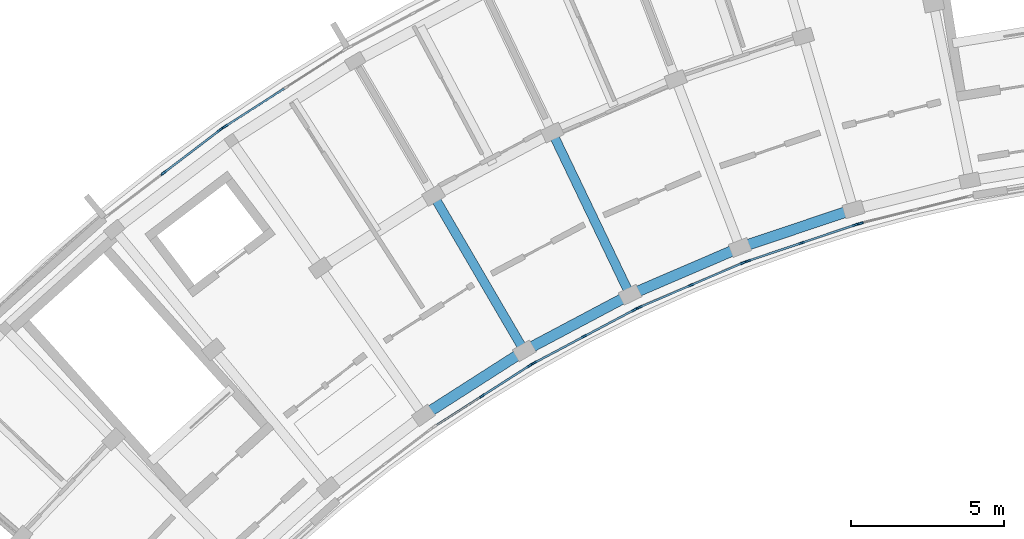
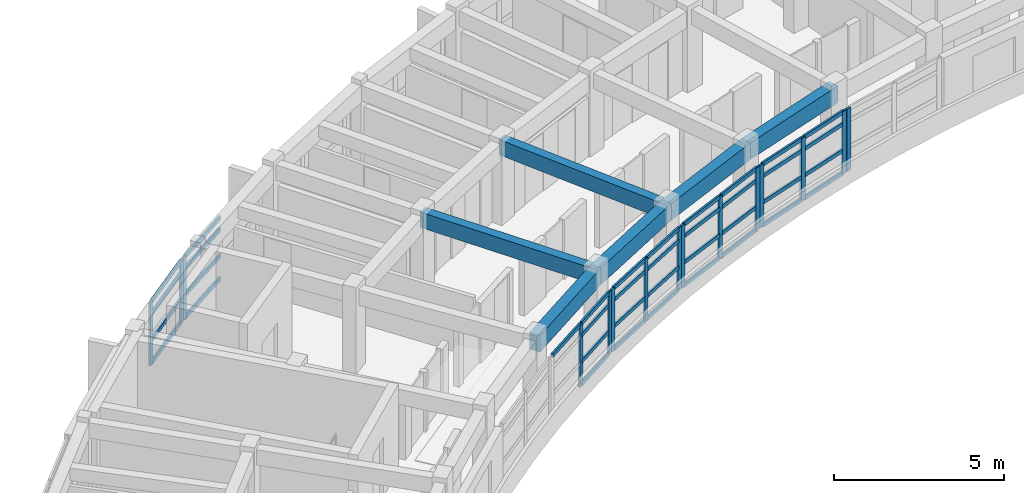
# One storey, part 3 of 11: 52 members, 6 beams, 7 elements without a shape of their own.
"""IFC4 building model written with IfcOpenShell, lengths in metres."""

from ifc_helpers import new_model, si_unit, direction, frame, origin, origin_2d, place, context, subcontext, project, spatial, rectangle, extrude, material, material_profile, profile_set, type_object, element, aggregate, save


model = new_model("IFC4")

# Units and contexts
model_context = context("Model", 3, precision=1e-05, world=origin(), true_north=direction((0.0, 1.0)))
body_context = subcontext(model_context, "Body", "Model", "MODEL_VIEW")
ifc_project = project(units=[si_unit("LENGTHUNIT", "METRE"), si_unit("AREAUNIT", "SQUARE_METRE"), si_unit("VOLUMEUNIT", "CUBIC_METRE"), si_unit("PLANEANGLEUNIT", "RADIAN"), si_unit("MASSUNIT", "GRAM", prefix="KILO")], contexts=[model_context])

# Site, building, storey
site_placement = place(None, origin())
site = spatial("IfcSite", under=ifc_project, at=site_placement, CompositionType="ELEMENT")
building_placement = place(site_placement, origin())
building = spatial("IfcBuilding", under=site, at=building_placement, Name="Zimvara Arc Housing Community", CompositionType="ELEMENT")
storey_placement = place(building_placement, frame((0.0, 0.0, 42.199951171875)))
storey = spatial("IfcBuildingStorey", under=building, at=storey_placement, Name="L13", CompositionType="ELEMENT", Elevation=42.199951171875)

# Beams
ifc_material_1 = material(Name="Concrete C40/50", Category="concrete")
ifc_material_profile_1 = material_profile(ifc_material_1, rectangle(XDim=0.300048828125, YDim=0.550048828125, at=origin_2d()), Name="RC 300x550")
ifc_profile_set_1 = profile_set([ifc_material_profile_1], Name="Concrete C40/50")
beam_type_1 = type_object("IfcBeamType", Name="BM-RC-300x550", PredefinedType="BEAM", material=ifc_profile_set_1)
beam_1_placement = place(storey_placement, frame((20.83740234375, 85.88232421875, 2.64501953125), z_axis=(-0.504219494781, 0.863575532934, 0.0), x_axis=(-0.863575532934, -0.504219494781, 0.0)))
element("IfcBeam", 1, at=beam_1_placement, inside=storey, type_object=beam_type_1, Name="bm:blkA:L13:rad:b4:r12", PredefinedType="BEAM", context=body_context, shape_type="SweptSolid", body=[
    extrude(rectangle(XDim=0.300048828125, YDim=0.550048828125, at=origin_2d()), origin(), (0.0, 0.0, 1.0), 5.880126953125),
])
beam_2_placement = place(storey_placement, frame((24.29443359375, 87.7158203125, 2.64501953125), z_axis=(-0.432069527705, 0.901840298073, 0.0), x_axis=(-0.901840298073, -0.432069527705, 0.0)))
element("IfcBeam", 2, at=beam_2_placement, inside=storey, type_object=beam_type_1, Name="bm:blkA:L13:rad:b5:r12", PredefinedType="BEAM", context=body_context, shape_type="SweptSolid", body=[
    extrude(rectangle(XDim=0.300048828125, YDim=0.550048828125, at=origin_2d()), origin(), (0.0, 0.0, 1.0), 5.8798828125),
])
ifc_material_2 = material(Name="Concrete C40/50", Category="concrete")
ifc_material_profile_2 = material_profile(ifc_material_2, rectangle(XDim=0.35009765625, YDim=0.60009765625, at=origin_2d()), Name="RC 350x600")
ifc_profile_set_2 = profile_set([ifc_material_profile_2], Name="Concrete C40/50")
beam_type_2 = type_object("IfcBeamType", Name="BM-RC-350x600", PredefinedType="BEAM", material=ifc_profile_set_2)
beam_3_placement = place(storey_placement, frame((17.541748046875, 83.77294921875, 2.6201171875), z_axis=(0.842253269878, 0.539082024724, 0.0), x_axis=(-0.539082024724, 0.842253269878, 0.0)))
element("IfcBeam", 3, at=beam_3_placement, inside=storey, type_object=beam_type_2, Name="bm:blkA:L13:chord:r1:b3", PredefinedType="BEAM", context=body_context, shape_type="SweptSolid", body=[
    extrude(rectangle(XDim=0.35009765625, YDim=0.60009765625, at=origin_2d()), origin(), (0.0, 0.0, 1.0), 3.912841796875),
])
for number, where, z_axis, x_axis, name in (
    (4, (20.83740234375, 85.88232421875, 2.6201171875), (0.883438625159, 0.468546897948, 0.0), (-0.468546897948, 0.883438625159, 0.0), "bm:blkA:L13:chord:r1:b4"),
    (5, (24.29443359375, 87.7158203125, 2.6201171875), (0.91873144242, 0.394882940514, 0.0), (-0.394882940514, 0.91873144242, 0.0), "bm:blkA:L13:chord:r1:b5"),
    (6, (27.889404296875, 89.260986328125, 2.6201171875), (0.947881689069, 0.31862250945, 0.0), (-0.31862250945, 0.947881689069, 0.0), "bm:blkA:L13:chord:r1:b6"),
):
    element("IfcBeam", number, at=place(storey_placement, frame(where, z_axis=z_axis, x_axis=x_axis)), inside=storey, type_object=beam_type_2, Name=name, PredefinedType="BEAM", context=body_context, shape_type="SweptSolid", body=[
        extrude(rectangle(XDim=0.35009765625, YDim=0.60009765625, at=origin_2d()), origin(), (0.0, 0.0, 1.0), 3.9130859375),
    ])

# Curtain wall, members
ifc_material_3 = material(Name="Anodised Aluminium AW-6063", Category="aluminium")
curtain_wall_type_1 = type_object("IfcCurtainWallType", Name="CW-SYS-06", PredefinedType="USERDEFINED", material=ifc_material_3)
curtain_wall_1_placement = place(storey_placement, origin())
curtain_wall_1 = element("IfcCurtainWall", 7, at=curtain_wall_1_placement, inside=storey, type_object=curtain_wall_type_1, Name="cw:blkA:L13:in:b3", ObjectType="CURTAIN WALL", PredefinedType="USERDEFINED")
ifc_material_4 = material(Name="Anodised Aluminium AW-6063", Category="aluminium")
ifc_material_profile_3 = material_profile(ifc_material_4, rectangle(XDim=0.06494140625, YDim=0.179931640625, at=origin_2d()), Name="ALU 65x180")
ifc_profile_set_3 = profile_set([ifc_material_profile_3], Name="Anodised Aluminium AW-6063")
member_type_1 = type_object("IfcMemberType", Name="CWM-65x150", PredefinedType="MULLION", material=ifc_profile_set_3)
member_1_placement = place(storey_placement, frame((19.458984375, 84.406982421875, 0.0), z_axis=(0.0, 0.0, 1.0), x_axis=(-0.539065115913, 0.842264092079, 0.0)))
member_1 = element("IfcMember", 8, at=member_1_placement, type_object=member_type_1, Name="CW06 mullion 2", PredefinedType="MULLION", context=body_context, shape_type="SweptSolid", body=[
    extrude(rectangle(XDim=0.06494140625, YDim=0.179931640625, at=origin_2d()), origin(), (0.0, 0.0, 1.0), 2.25),
])
member_2_placement = place(storey_placement, frame((21.01171875, 85.400634765625, 0.0), z_axis=(0.0, 0.0, 1.0), x_axis=(-0.539065115913, 0.842264092079, 0.0)))
member_2 = element("IfcMember", 9, at=member_2_placement, type_object=member_type_1, Name="CW06 mullion 3", PredefinedType="MULLION", context=body_context, shape_type="SweptSolid", body=[
    extrude(rectangle(XDim=0.06494140625, YDim=0.179931640625, at=origin_2d()), origin(), (0.0, 0.0, 1.0), 2.25),
])

ifc_material_5 = material(Name="Anodised Aluminium AW-6063", Category="aluminium")
curtain_wall_type_2 = type_object("IfcCurtainWallType", Name="CW-SYS-08", PredefinedType="USERDEFINED", material=ifc_material_5)
curtain_wall_2_placement = place(storey_placement, origin())
curtain_wall_2 = element("IfcCurtainWall", 10, at=curtain_wall_2_placement, inside=storey, type_object=curtain_wall_type_2, Name="cw:blkA:L13:in:b4", ObjectType="CURTAIN WALL", PredefinedType="USERDEFINED")
member_3_placement = place(storey_placement, frame((21.17138671875, 85.493896484375, 0.0), z_axis=(0.0, 0.0, 1.0), x_axis=(-0.468547099195, 0.883438518424, 0.0)))
member_3 = element("IfcMember", 11, at=member_3_placement, type_object=member_type_1, Name="CW08 mullion 1", PredefinedType="MULLION", context=body_context, shape_type="SweptSolid", body=[
    extrude(rectangle(XDim=0.06494140625, YDim=0.179931640625, at=origin_2d()), origin(), (0.0, 0.0, 1.0), 2.25),
])
member_4_placement = place(storey_placement, frame((22.800048828125, 86.357666015625, 0.0), z_axis=(0.0, 0.0, 1.0), x_axis=(-0.468547099195, 0.883438518424, 0.0)))
member_4 = element("IfcMember", 12, at=member_4_placement, type_object=member_type_1, Name="CW08 mullion 2", PredefinedType="MULLION", context=body_context, shape_type="SweptSolid", body=[
    extrude(rectangle(XDim=0.06494140625, YDim=0.179931640625, at=origin_2d()), origin(), (0.0, 0.0, 1.0), 2.25),
])
member_5_placement = place(storey_placement, frame((24.4287109375, 87.2216796875, 0.0), z_axis=(0.0, 0.0, 1.0), x_axis=(-0.468547099195, 0.883438518424, 0.0)))
member_5 = element("IfcMember", 13, at=member_5_placement, type_object=member_type_1, Name="CW08 mullion 3", PredefinedType="MULLION", context=body_context, shape_type="SweptSolid", body=[
    extrude(rectangle(XDim=0.06494140625, YDim=0.179931640625, at=origin_2d()), origin(), (0.0, 0.0, 1.0), 2.25),
])

ifc_material_6 = material(Name="Anodised Aluminium AW-6063", Category="aluminium")
curtain_wall_type_3 = type_object("IfcCurtainWallType", Name="CW-SYS-02", PredefinedType="USERDEFINED", material=ifc_material_6)
curtain_wall_3_placement = place(storey_placement, origin())
curtain_wall_3 = element("IfcCurtainWall", 14, at=curtain_wall_3_placement, inside=storey, type_object=curtain_wall_type_3, Name="cw:blkA:L13:in:b5", ObjectType="CURTAIN WALL", PredefinedType="USERDEFINED")
member_6_placement = place(storey_placement, frame((24.595458984375, 87.301513671875, 0.0), z_axis=(0.0, 0.0, 1.0), x_axis=(-0.394903951674, 0.918722411261, 0.0)))
member_6 = element("IfcMember", 15, at=member_6_placement, type_object=member_type_1, Name="CW02 mullion 1", PredefinedType="MULLION", context=body_context, shape_type="SweptSolid", body=[
    extrude(rectangle(XDim=0.06494140625, YDim=0.179931640625, at=origin_2d()), origin(), (0.0, 0.0, 1.0), 2.25),
])
member_7_placement = place(storey_placement, frame((26.289306640625, 88.029541015625, 0.0), z_axis=(0.0, 0.0, 1.0), x_axis=(-0.394903951674, 0.918722411261, 0.0)))
member_7 = element("IfcMember", 16, at=member_7_placement, type_object=member_type_1, Name="CW02 mullion 2", PredefinedType="MULLION", context=body_context, shape_type="SweptSolid", body=[
    extrude(rectangle(XDim=0.06494140625, YDim=0.179931640625, at=origin_2d()), origin(), (0.0, 0.0, 1.0), 2.25),
])
member_8_placement = place(storey_placement, frame((27.983154296875, 88.757568359375, 0.0), z_axis=(0.0, 0.0, 1.0), x_axis=(-0.394903951674, 0.918722411261, 0.0)))
member_8 = element("IfcMember", 17, at=member_8_placement, type_object=member_type_1, Name="CW02 mullion 3", PredefinedType="MULLION", context=body_context, shape_type="SweptSolid", body=[
    extrude(rectangle(XDim=0.06494140625, YDim=0.179931640625, at=origin_2d()), origin(), (0.0, 0.0, 1.0), 2.25),
])

ifc_material_7 = material(Name="Anodised Aluminium AW-6063", Category="aluminium")
curtain_wall_type_4 = type_object("IfcCurtainWallType", Name="CW-SYS-04", PredefinedType="USERDEFINED", material=ifc_material_7)
curtain_wall_4_placement = place(storey_placement, origin())
curtain_wall_4 = element("IfcCurtainWall", 18, at=curtain_wall_4_placement, inside=storey, type_object=curtain_wall_type_4, Name="cw:blkA:L13:in:b6", ObjectType="CURTAIN WALL", PredefinedType="USERDEFINED")
member_9_placement = place(storey_placement, frame((28.15576171875, 88.823486328125, 0.0), z_axis=(0.0, 0.0, 1.0), x_axis=(-0.318626909491, 0.94788021002, 0.0)))
member_9 = element("IfcMember", 19, at=member_9_placement, type_object=member_type_1, Name="CW04 mullion 1", PredefinedType="MULLION", context=body_context, shape_type="SweptSolid", body=[
    extrude(rectangle(XDim=0.06494140625, YDim=0.179931640625, at=origin_2d()), origin(), (0.0, 0.0, 1.0), 2.25),
])
member_10_placement = place(storey_placement, frame((29.9033203125, 89.410888671875, 0.0), z_axis=(0.0, 0.0, 1.0), x_axis=(-0.318626909491, 0.94788021002, 0.0)))
member_10 = element("IfcMember", 20, at=member_10_placement, type_object=member_type_1, Name="CW04 mullion 2", PredefinedType="MULLION", context=body_context, shape_type="SweptSolid", body=[
    extrude(rectangle(XDim=0.06494140625, YDim=0.179931640625, at=origin_2d()), origin(), (0.0, 0.0, 1.0), 2.25),
])
member_11_placement = place(storey_placement, frame((31.65087890625, 89.998291015625, 0.0), z_axis=(0.0, 0.0, 1.0), x_axis=(-0.318626909491, 0.94788021002, 0.0)))
member_11 = element("IfcMember", 21, at=member_11_placement, type_object=member_type_1, Name="CW04 mullion 3", PredefinedType="MULLION", context=body_context, shape_type="SweptSolid", body=[
    extrude(rectangle(XDim=0.06494140625, YDim=0.179931640625, at=origin_2d()), origin(), (0.0, 0.0, 1.0), 2.25),
])

# Curtain wall, member
curtain_wall_5_placement = place(storey_placement, origin())
curtain_wall_5 = element("IfcCurtainWall", 22, at=curtain_wall_5_placement, inside=storey, type_object=curtain_wall_type_1, Name="cw:blkA:L13:in:b7", ObjectType="CURTAIN WALL", PredefinedType="USERDEFINED")
member_12_placement = place(storey_placement, frame((31.828369140625, 90.050048828125, 0.0), z_axis=(0.0, 0.0, 1.0), x_axis=(-0.240229186313, 0.970716198507, 0.0)))
member_12 = element("IfcMember", 23, at=member_12_placement, type_object=member_type_1, Name="CW06 mullion 1", PredefinedType="MULLION", context=body_context, shape_type="SweptSolid", body=[
    extrude(rectangle(XDim=0.06494140625, YDim=0.179931640625, at=origin_2d()), origin(), (0.0, 0.0, 1.0), 2.25),
])
aggregate(curtain_wall_5, [member_12])

# Curtain wall, members
ifc_material_8 = material(Name="Anodised Aluminium AW-6063", Category="aluminium")
curtain_wall_type_5 = type_object("IfcCurtainWallType", Name="CW-SYS-03", PredefinedType="USERDEFINED", material=ifc_material_8)
curtain_wall_6_placement = place(storey_placement, origin())
curtain_wall_6 = element("IfcCurtainWall", 24, at=curtain_wall_6_placement, inside=storey, type_object=curtain_wall_type_5, Name="cw:blkA:L13:out:b2", ObjectType="CURTAIN WALL", PredefinedType="USERDEFINED")
ifc_material_9 = material(Name="Anodised Aluminium AW-6063", Category="aluminium")
ifc_material_profile_4 = material_profile(ifc_material_9, rectangle(XDim=0.06494140625, YDim=0.195068359375, at=origin_2d()), Name="ALU 65x195")
ifc_profile_set_4 = profile_set([ifc_material_profile_4], Name="Anodised Aluminium AW-6063")
member_type_2 = type_object("IfcMemberType", Name="CWM-65x180", PredefinedType="MULLION", material=ifc_profile_set_4)
member_13_placement = place(storey_placement, frame((9.04638671875, 91.69580078125, 0.0), z_axis=(0.0, 0.0, 1.0), x_axis=(-0.60598771987, 0.795473999177, 0.0)))
member_13 = element("IfcMember", 25, at=member_13_placement, type_object=member_type_2, Name="CW03 mullion 2", PredefinedType="MULLION", context=body_context, shape_type="SweptSolid", body=[
    extrude(rectangle(XDim=0.06494140625, YDim=0.195068359375, at=origin_2d()), origin(), (0.0, 0.0, 1.0), 2.25),
])
member_14_placement = place(storey_placement, frame((10.9013671875, 93.10888671875, 0.0), z_axis=(0.0, 0.0, 1.0), x_axis=(-0.60598771987, 0.795473999177, 0.0)))
member_14 = element("IfcMember", 26, at=member_14_placement, type_object=member_type_2, Name="CW03 mullion 3", PredefinedType="MULLION", context=body_context, shape_type="SweptSolid", body=[
    extrude(rectangle(XDim=0.06494140625, YDim=0.195068359375, at=origin_2d()), origin(), (0.0, 0.0, 1.0), 2.25),
])

# Curtain wall, member
ifc_material_10 = material(Name="Anodised Aluminium AW-6063", Category="aluminium")
curtain_wall_type_6 = type_object("IfcCurtainWallType", Name="CW-SYS-05", PredefinedType="USERDEFINED", material=ifc_material_10)
curtain_wall_7_placement = place(storey_placement, origin())
curtain_wall_7 = element("IfcCurtainWall", 27, at=curtain_wall_7_placement, inside=storey, type_object=curtain_wall_type_6, Name="cw:blkA:L13:out:b3", ObjectType="CURTAIN WALL", PredefinedType="USERDEFINED")
member_15_placement = place(storey_placement, frame((11.052978515625, 93.21484375, 0.0), z_axis=(0.0, 0.0, 1.0), x_axis=(-0.539064617721, 0.842264410931, 0.0)))
member_15 = element("IfcMember", 28, at=member_15_placement, type_object=member_type_2, Name="CW05 mullion 1", PredefinedType="MULLION", context=body_context, shape_type="SweptSolid", body=[
    extrude(rectangle(XDim=0.06494140625, YDim=0.195068359375, at=origin_2d()), origin(), (0.0, 0.0, 1.0), 2.25),
])

# Member
ifc_material_11 = material(Name="Anodised Aluminium AW-6063", Category="aluminium")
ifc_material_profile_5 = material_profile(ifc_material_11, rectangle(XDim=0.06494140625, YDim=0.139892578125, at=origin_2d()), Name="ALU 65x140")
ifc_profile_set_5 = profile_set([ifc_material_profile_5], Name="Anodised Aluminium AW-6063")
member_type_3 = type_object("IfcMemberType", Name="CWT-65x120", PredefinedType="USERDEFINED", material=ifc_profile_set_5)
member_16_placement = place(storey_placement, frame((17.933349609375, 83.4306640625, 2.217529296875), z_axis=(0.842273893594, 0.539049801197, 0.0), x_axis=(-0.539049801197, 0.842273893594, 0.0)))
member_16 = element("IfcMember", 29, at=member_16_placement, type_object=member_type_3, Name="CW06 transom 1.4", ObjectType="TRANSOM", PredefinedType="USERDEFINED", context=body_context, shape_type="SweptSolid", body=[
    extrude(rectangle(XDim=0.06494140625, YDim=0.139892578125, at=origin_2d()), origin(), (0.0, 0.0, 1.0), 1.778564453125),
])

member_17_placement = place(storey_placement, frame((19.486328125, 84.42431640625, 0.032470703125), z_axis=(0.842211569309, 0.539147171487, 0.0), x_axis=(-0.539147171487, 0.842211569309, 0.0)))
member_17 = element("IfcMember", 30, at=member_17_placement, type_object=member_type_3, Name="CW06 transom 2.1", ObjectType="TRANSOM", PredefinedType="USERDEFINED", context=body_context, shape_type="SweptSolid", body=[
    extrude(rectangle(XDim=0.06494140625, YDim=0.139892578125, at=origin_2d()), origin(), (0.0, 0.0, 1.0), 1.77880859375),
])

member_18_placement = place(storey_placement, frame((19.486328125, 84.42431640625, 0.85009765625), z_axis=(0.842211569309, 0.539147171487, 0.0), x_axis=(-0.539147171487, 0.842211569309, 0.0)))
member_18 = element("IfcMember", 31, at=member_18_placement, type_object=member_type_3, Name="CW06 transom 2.2", ObjectType="TRANSOM", PredefinedType="USERDEFINED", context=body_context, shape_type="SweptSolid", body=[
    extrude(rectangle(XDim=0.06494140625, YDim=0.139892578125, at=origin_2d()), origin(), (0.0, 0.0, 1.0), 1.77880859375),
])

member_19_placement = place(storey_placement, frame((19.486328125, 84.42431640625, 1.800048828125), z_axis=(0.842211569309, 0.539147171487, 0.0), x_axis=(-0.539147171487, 0.842211569309, 0.0)))
member_19 = element("IfcMember", 32, at=member_19_placement, type_object=member_type_3, Name="CW06 transom 2.3", ObjectType="TRANSOM", PredefinedType="USERDEFINED", context=body_context, shape_type="SweptSolid", body=[
    extrude(rectangle(XDim=0.06494140625, YDim=0.139892578125, at=origin_2d()), origin(), (0.0, 0.0, 1.0), 1.77880859375),
])

member_20_placement = place(storey_placement, frame((19.486328125, 84.42431640625, 2.217529296875), z_axis=(0.842211569309, 0.539147171487, 0.0), x_axis=(-0.539147171487, 0.842211569309, 0.0)))
member_20 = element("IfcMember", 33, at=member_20_placement, type_object=member_type_3, Name="CW06 transom 2.4", ObjectType="TRANSOM", PredefinedType="USERDEFINED", context=body_context, shape_type="SweptSolid", body=[
    extrude(rectangle(XDim=0.06494140625, YDim=0.139892578125, at=origin_2d()), origin(), (0.0, 0.0, 1.0), 1.77880859375),
])

aggregate(curtain_wall_1, [member_1, member_2, member_16, member_17, member_18, member_19, member_20])

member_21_placement = place(storey_placement, frame((21.199951171875, 85.509033203125, 0.032470703125), z_axis=(0.883407004942, 0.468606512566, 0.0), x_axis=(-0.468606512566, 0.883407004942, 0.0)))
member_21 = element("IfcMember", 34, at=member_21_placement, type_object=member_type_3, Name="CW08 transom 1.1", ObjectType="TRANSOM", PredefinedType="USERDEFINED", context=body_context, shape_type="SweptSolid", body=[
    extrude(rectangle(XDim=0.06494140625, YDim=0.139892578125, at=origin_2d()), origin(), (0.0, 0.0, 1.0), 1.778564453125),
])

member_22_placement = place(storey_placement, frame((21.199951171875, 85.509033203125, 0.85009765625), z_axis=(0.883407004942, 0.468606512566, 0.0), x_axis=(-0.468606512566, 0.883407004942, 0.0)))
member_22 = element("IfcMember", 35, at=member_22_placement, type_object=member_type_3, Name="CW08 transom 1.2", ObjectType="TRANSOM", PredefinedType="USERDEFINED", context=body_context, shape_type="SweptSolid", body=[
    extrude(rectangle(XDim=0.06494140625, YDim=0.139892578125, at=origin_2d()), origin(), (0.0, 0.0, 1.0), 1.778564453125),
])

member_23_placement = place(storey_placement, frame((21.199951171875, 85.509033203125, 1.800048828125), z_axis=(0.883407004942, 0.468606512566, 0.0), x_axis=(-0.468606512566, 0.883407004942, 0.0)))
member_23 = element("IfcMember", 36, at=member_23_placement, type_object=member_type_3, Name="CW08 transom 1.3", ObjectType="TRANSOM", PredefinedType="USERDEFINED", context=body_context, shape_type="SweptSolid", body=[
    extrude(rectangle(XDim=0.06494140625, YDim=0.139892578125, at=origin_2d()), origin(), (0.0, 0.0, 1.0), 1.778564453125),
])

member_24_placement = place(storey_placement, frame((21.199951171875, 85.509033203125, 2.217529296875), z_axis=(0.883407004942, 0.468606512566, 0.0), x_axis=(-0.468606512566, 0.883407004942, 0.0)))
member_24 = element("IfcMember", 37, at=member_24_placement, type_object=member_type_3, Name="CW08 transom 1.4", ObjectType="TRANSOM", PredefinedType="USERDEFINED", context=body_context, shape_type="SweptSolid", body=[
    extrude(rectangle(XDim=0.06494140625, YDim=0.139892578125, at=origin_2d()), origin(), (0.0, 0.0, 1.0), 1.778564453125),
])

member_25_placement = place(storey_placement, frame((22.828857421875, 86.373046875, 0.032470703125), z_axis=(0.883463823767, 0.468499383238, 0.0), x_axis=(-0.468499383238, 0.883463823767, 0.0)))
member_25 = element("IfcMember", 38, at=member_25_placement, type_object=member_type_3, Name="CW08 transom 2.1", ObjectType="TRANSOM", PredefinedType="USERDEFINED", context=body_context, shape_type="SweptSolid", body=[
    extrude(rectangle(XDim=0.06494140625, YDim=0.139892578125, at=origin_2d()), origin(), (0.0, 0.0, 1.0), 1.778564453125),
])

member_26_placement = place(storey_placement, frame((22.828857421875, 86.373046875, 0.85009765625), z_axis=(0.883463823767, 0.468499383238, 0.0), x_axis=(-0.468499383238, 0.883463823767, 0.0)))
member_26 = element("IfcMember", 39, at=member_26_placement, type_object=member_type_3, Name="CW08 transom 2.2", ObjectType="TRANSOM", PredefinedType="USERDEFINED", context=body_context, shape_type="SweptSolid", body=[
    extrude(rectangle(XDim=0.06494140625, YDim=0.139892578125, at=origin_2d()), origin(), (0.0, 0.0, 1.0), 1.778564453125),
])

member_27_placement = place(storey_placement, frame((22.828857421875, 86.373046875, 1.800048828125), z_axis=(0.883463823767, 0.468499383238, 0.0), x_axis=(-0.468499383238, 0.883463823767, 0.0)))
member_27 = element("IfcMember", 40, at=member_27_placement, type_object=member_type_3, Name="CW08 transom 2.3", ObjectType="TRANSOM", PredefinedType="USERDEFINED", context=body_context, shape_type="SweptSolid", body=[
    extrude(rectangle(XDim=0.06494140625, YDim=0.139892578125, at=origin_2d()), origin(), (0.0, 0.0, 1.0), 1.778564453125),
])

member_28_placement = place(storey_placement, frame((22.828857421875, 86.373046875, 2.217529296875), z_axis=(0.883463823767, 0.468499383238, 0.0), x_axis=(-0.468499383238, 0.883463823767, 0.0)))
member_28 = element("IfcMember", 41, at=member_28_placement, type_object=member_type_3, Name="CW08 transom 2.4", ObjectType="TRANSOM", PredefinedType="USERDEFINED", context=body_context, shape_type="SweptSolid", body=[
    extrude(rectangle(XDim=0.06494140625, YDim=0.139892578125, at=origin_2d()), origin(), (0.0, 0.0, 1.0), 1.778564453125),
])

aggregate(curtain_wall_2, [member_3, member_4, member_5, member_21, member_22, member_23, member_24, member_25, member_26, member_27, member_28])

member_29_placement = place(storey_placement, frame((24.625244140625, 87.314208984375, 0.032470703125), z_axis=(0.918739899324, 0.39486326417, 0.0), x_axis=(-0.39486326417, 0.918739899324, 0.0)))
member_29 = element("IfcMember", 42, at=member_29_placement, type_object=member_type_3, Name="CW02 transom 1.1", ObjectType="TRANSOM", PredefinedType="USERDEFINED", context=body_context, shape_type="SweptSolid", body=[
    extrude(rectangle(XDim=0.06494140625, YDim=0.139892578125, at=origin_2d()), origin(), (0.0, 0.0, 1.0), 1.77880859375),
])

member_30_placement = place(storey_placement, frame((24.625244140625, 87.314208984375, 0.85009765625), z_axis=(0.918739899324, 0.39486326417, 0.0), x_axis=(-0.39486326417, 0.918739899324, 0.0)))
member_30 = element("IfcMember", 43, at=member_30_placement, type_object=member_type_3, Name="CW02 transom 1.2", ObjectType="TRANSOM", PredefinedType="USERDEFINED", context=body_context, shape_type="SweptSolid", body=[
    extrude(rectangle(XDim=0.06494140625, YDim=0.139892578125, at=origin_2d()), origin(), (0.0, 0.0, 1.0), 1.77880859375),
])

member_31_placement = place(storey_placement, frame((24.625244140625, 87.314208984375, 1.800048828125), z_axis=(0.918739899324, 0.39486326417, 0.0), x_axis=(-0.39486326417, 0.918739899324, 0.0)))
member_31 = element("IfcMember", 44, at=member_31_placement, type_object=member_type_3, Name="CW02 transom 1.3", ObjectType="TRANSOM", PredefinedType="USERDEFINED", context=body_context, shape_type="SweptSolid", body=[
    extrude(rectangle(XDim=0.06494140625, YDim=0.139892578125, at=origin_2d()), origin(), (0.0, 0.0, 1.0), 1.77880859375),
])

member_32_placement = place(storey_placement, frame((24.625244140625, 87.314208984375, 2.217529296875), z_axis=(0.918739899324, 0.39486326417, 0.0), x_axis=(-0.39486326417, 0.918739899324, 0.0)))
member_32 = element("IfcMember", 45, at=member_32_placement, type_object=member_type_3, Name="CW02 transom 1.4", ObjectType="TRANSOM", PredefinedType="USERDEFINED", context=body_context, shape_type="SweptSolid", body=[
    extrude(rectangle(XDim=0.06494140625, YDim=0.139892578125, at=origin_2d()), origin(), (0.0, 0.0, 1.0), 1.77880859375),
])

member_33_placement = place(storey_placement, frame((26.319091796875, 88.042236328125, 0.032470703125), z_axis=(0.918718495938, 0.394913060334, 0.0), x_axis=(-0.394913060334, 0.918718495938, 0.0)))
member_33 = element("IfcMember", 46, at=member_33_placement, type_object=member_type_3, Name="CW02 transom 2.1", ObjectType="TRANSOM", PredefinedType="USERDEFINED", context=body_context, shape_type="SweptSolid", body=[
    extrude(rectangle(XDim=0.06494140625, YDim=0.139892578125, at=origin_2d()), origin(), (0.0, 0.0, 1.0), 1.778564453125),
])

member_34_placement = place(storey_placement, frame((26.319091796875, 88.042236328125, 0.85009765625), z_axis=(0.918718495938, 0.394913060334, 0.0), x_axis=(-0.394913060334, 0.918718495938, 0.0)))
member_34 = element("IfcMember", 47, at=member_34_placement, type_object=member_type_3, Name="CW02 transom 2.2", ObjectType="TRANSOM", PredefinedType="USERDEFINED", context=body_context, shape_type="SweptSolid", body=[
    extrude(rectangle(XDim=0.06494140625, YDim=0.139892578125, at=origin_2d()), origin(), (0.0, 0.0, 1.0), 1.778564453125),
])

member_35_placement = place(storey_placement, frame((26.319091796875, 88.042236328125, 1.800048828125), z_axis=(0.918718495938, 0.394913060334, 0.0), x_axis=(-0.394913060334, 0.918718495938, 0.0)))
member_35 = element("IfcMember", 48, at=member_35_placement, type_object=member_type_3, Name="CW02 transom 2.3", ObjectType="TRANSOM", PredefinedType="USERDEFINED", context=body_context, shape_type="SweptSolid", body=[
    extrude(rectangle(XDim=0.06494140625, YDim=0.139892578125, at=origin_2d()), origin(), (0.0, 0.0, 1.0), 1.778564453125),
])

member_36_placement = place(storey_placement, frame((26.319091796875, 88.042236328125, 2.217529296875), z_axis=(0.918718495938, 0.394913060334, 0.0), x_axis=(-0.394913060334, 0.918718495938, 0.0)))
member_36 = element("IfcMember", 49, at=member_36_placement, type_object=member_type_3, Name="CW02 transom 2.4", ObjectType="TRANSOM", PredefinedType="USERDEFINED", context=body_context, shape_type="SweptSolid", body=[
    extrude(rectangle(XDim=0.06494140625, YDim=0.139892578125, at=origin_2d()), origin(), (0.0, 0.0, 1.0), 1.778564453125),
])

aggregate(curtain_wall_3, [member_6, member_7, member_8, member_29, member_30, member_31, member_32, member_33, member_34, member_35, member_36])

member_37_placement = place(storey_placement, frame((28.1865234375, 88.833984375, 0.032470703125), z_axis=(0.947884095882, 0.318615349246, 0.0), x_axis=(-0.318615349246, 0.947884095882, 0.0)))
member_37 = element("IfcMember", 50, at=member_37_placement, type_object=member_type_3, Name="CW04 transom 1.1", ObjectType="TRANSOM", PredefinedType="USERDEFINED", context=body_context, shape_type="SweptSolid", body=[
    extrude(rectangle(XDim=0.06494140625, YDim=0.139892578125, at=origin_2d()), origin(), (0.0, 0.0, 1.0), 1.778564453125),
])

member_38_placement = place(storey_placement, frame((28.1865234375, 88.833984375, 0.85009765625), z_axis=(0.947884095882, 0.318615349246, 0.0), x_axis=(-0.318615349246, 0.947884095882, 0.0)))
member_38 = element("IfcMember", 51, at=member_38_placement, type_object=member_type_3, Name="CW04 transom 1.2", ObjectType="TRANSOM", PredefinedType="USERDEFINED", context=body_context, shape_type="SweptSolid", body=[
    extrude(rectangle(XDim=0.06494140625, YDim=0.139892578125, at=origin_2d()), origin(), (0.0, 0.0, 1.0), 1.778564453125),
])

member_39_placement = place(storey_placement, frame((28.1865234375, 88.833984375, 1.800048828125), z_axis=(0.947884095882, 0.318615349246, 0.0), x_axis=(-0.318615349246, 0.947884095882, 0.0)))
member_39 = element("IfcMember", 52, at=member_39_placement, type_object=member_type_3, Name="CW04 transom 1.3", ObjectType="TRANSOM", PredefinedType="USERDEFINED", context=body_context, shape_type="SweptSolid", body=[
    extrude(rectangle(XDim=0.06494140625, YDim=0.139892578125, at=origin_2d()), origin(), (0.0, 0.0, 1.0), 1.778564453125),
])

member_40_placement = place(storey_placement, frame((28.1865234375, 88.833984375, 2.217529296875), z_axis=(0.947884095882, 0.318615349246, 0.0), x_axis=(-0.318615349246, 0.947884095882, 0.0)))
member_40 = element("IfcMember", 53, at=member_40_placement, type_object=member_type_3, Name="CW04 transom 1.4", ObjectType="TRANSOM", PredefinedType="USERDEFINED", context=body_context, shape_type="SweptSolid", body=[
    extrude(rectangle(XDim=0.06494140625, YDim=0.139892578125, at=origin_2d()), origin(), (0.0, 0.0, 1.0), 1.778564453125),
])

member_41_placement = place(storey_placement, frame((29.93408203125, 89.42138671875, 0.032470703125), z_axis=(0.947884095882, 0.318615349246, 0.0), x_axis=(-0.318615349246, 0.947884095882, 0.0)))
member_41 = element("IfcMember", 54, at=member_41_placement, type_object=member_type_3, Name="CW04 transom 2.1", ObjectType="TRANSOM", PredefinedType="USERDEFINED", context=body_context, shape_type="SweptSolid", body=[
    extrude(rectangle(XDim=0.06494140625, YDim=0.139892578125, at=origin_2d()), origin(), (0.0, 0.0, 1.0), 1.778564453125),
])

member_42_placement = place(storey_placement, frame((29.93408203125, 89.42138671875, 0.85009765625), z_axis=(0.947884095882, 0.318615349246, 0.0), x_axis=(-0.318615349246, 0.947884095882, 0.0)))
member_42 = element("IfcMember", 55, at=member_42_placement, type_object=member_type_3, Name="CW04 transom 2.2", ObjectType="TRANSOM", PredefinedType="USERDEFINED", context=body_context, shape_type="SweptSolid", body=[
    extrude(rectangle(XDim=0.06494140625, YDim=0.139892578125, at=origin_2d()), origin(), (0.0, 0.0, 1.0), 1.778564453125),
])

member_43_placement = place(storey_placement, frame((29.93408203125, 89.42138671875, 1.800048828125), z_axis=(0.947884095882, 0.318615349246, 0.0), x_axis=(-0.318615349246, 0.947884095882, 0.0)))
member_43 = element("IfcMember", 56, at=member_43_placement, type_object=member_type_3, Name="CW04 transom 2.3", ObjectType="TRANSOM", PredefinedType="USERDEFINED", context=body_context, shape_type="SweptSolid", body=[
    extrude(rectangle(XDim=0.06494140625, YDim=0.139892578125, at=origin_2d()), origin(), (0.0, 0.0, 1.0), 1.778564453125),
])

member_44_placement = place(storey_placement, frame((29.93408203125, 89.42138671875, 2.217529296875), z_axis=(0.947884095882, 0.318615349246, 0.0), x_axis=(-0.318615349246, 0.947884095882, 0.0)))
member_44 = element("IfcMember", 57, at=member_44_placement, type_object=member_type_3, Name="CW04 transom 2.4", ObjectType="TRANSOM", PredefinedType="USERDEFINED", context=body_context, shape_type="SweptSolid", body=[
    extrude(rectangle(XDim=0.06494140625, YDim=0.139892578125, at=origin_2d()), origin(), (0.0, 0.0, 1.0), 1.778564453125),
])

aggregate(curtain_wall_4, [member_9, member_10, member_11, member_37, member_38, member_39, member_40, member_41, member_42, member_43, member_44])

ifc_material_12 = material(Name="Anodised Aluminium AW-6063", Category="aluminium")
ifc_material_profile_6 = material_profile(ifc_material_12, rectangle(XDim=0.06494140625, YDim=0.155029296875, at=origin_2d()), Name="ALU 65x155")
ifc_profile_set_6 = profile_set([ifc_material_profile_6], Name="Anodised Aluminium AW-6063")
member_type_4 = type_object("IfcMemberType", Name="CWT-65x140", PredefinedType="USERDEFINED", material=ifc_profile_set_6)
member_45_placement = place(storey_placement, frame((9.072265625, 91.715576171875, 0.032470703125), z_axis=(0.795453969776, 0.606014011363, 0.0), x_axis=(-0.606014011363, 0.795453969776, 0.0)))
member_45 = element("IfcMember", 58, at=member_45_placement, type_object=member_type_4, Name="CW03 transom 2.1", ObjectType="TRANSOM", PredefinedType="USERDEFINED", context=body_context, shape_type="SweptSolid", body=[
    extrude(rectangle(XDim=0.06494140625, YDim=0.155029296875, at=origin_2d()), origin(), (0.0, 0.0, 1.0), 2.266845703125),
])

member_46_placement = place(storey_placement, frame((9.072265625, 91.715576171875, 0.85009765625), z_axis=(0.795453969776, 0.606014011363, 0.0), x_axis=(-0.606014011363, 0.795453969776, 0.0)))
member_46 = element("IfcMember", 59, at=member_46_placement, type_object=member_type_4, Name="CW03 transom 2.2", ObjectType="TRANSOM", PredefinedType="USERDEFINED", context=body_context, shape_type="SweptSolid", body=[
    extrude(rectangle(XDim=0.06494140625, YDim=0.155029296875, at=origin_2d()), origin(), (0.0, 0.0, 1.0), 2.266845703125),
])

member_47_placement = place(storey_placement, frame((9.072265625, 91.715576171875, 1.800048828125), z_axis=(0.795453969776, 0.606014011363, 0.0), x_axis=(-0.606014011363, 0.795453969776, 0.0)))
member_47 = element("IfcMember", 60, at=member_47_placement, type_object=member_type_4, Name="CW03 transom 2.3", ObjectType="TRANSOM", PredefinedType="USERDEFINED", context=body_context, shape_type="SweptSolid", body=[
    extrude(rectangle(XDim=0.06494140625, YDim=0.155029296875, at=origin_2d()), origin(), (0.0, 0.0, 1.0), 2.266845703125),
])

member_48_placement = place(storey_placement, frame((9.072265625, 91.715576171875, 2.217529296875), z_axis=(0.795453969776, 0.606014011363, 0.0), x_axis=(-0.606014011363, 0.795453969776, 0.0)))
member_48 = element("IfcMember", 61, at=member_48_placement, type_object=member_type_4, Name="CW03 transom 2.4", ObjectType="TRANSOM", PredefinedType="USERDEFINED", context=body_context, shape_type="SweptSolid", body=[
    extrude(rectangle(XDim=0.06494140625, YDim=0.155029296875, at=origin_2d()), origin(), (0.0, 0.0, 1.0), 2.266845703125),
])

aggregate(curtain_wall_6, [member_13, member_14, member_45, member_46, member_47, member_48])

member_49_placement = place(storey_placement, frame((11.080322265625, 93.232421875, 0.032470703125), z_axis=(0.842292914806, 0.539020079095, 0.0), x_axis=(-0.539020079095, 0.842292914806, 0.0)))
member_49 = element("IfcMember", 62, at=member_49_placement, type_object=member_type_4, Name="CW05 transom 1.1", ObjectType="TRANSOM", PredefinedType="USERDEFINED", context=body_context, shape_type="SweptSolid", body=[
    extrude(rectangle(XDim=0.06494140625, YDim=0.155029296875, at=origin_2d()), origin(), (0.0, 0.0, 1.0), 2.266845703125),
])

member_50_placement = place(storey_placement, frame((11.080322265625, 93.232421875, 0.85009765625), z_axis=(0.842292914806, 0.539020079095, 0.0), x_axis=(-0.539020079095, 0.842292914806, 0.0)))
member_50 = element("IfcMember", 63, at=member_50_placement, type_object=member_type_4, Name="CW05 transom 1.2", ObjectType="TRANSOM", PredefinedType="USERDEFINED", context=body_context, shape_type="SweptSolid", body=[
    extrude(rectangle(XDim=0.06494140625, YDim=0.155029296875, at=origin_2d()), origin(), (0.0, 0.0, 1.0), 2.266845703125),
])

member_51_placement = place(storey_placement, frame((11.080322265625, 93.232421875, 1.800048828125), z_axis=(0.842292914806, 0.539020079095, 0.0), x_axis=(-0.539020079095, 0.842292914806, 0.0)))
member_51 = element("IfcMember", 64, at=member_51_placement, type_object=member_type_4, Name="CW05 transom 1.3", ObjectType="TRANSOM", PredefinedType="USERDEFINED", context=body_context, shape_type="SweptSolid", body=[
    extrude(rectangle(XDim=0.06494140625, YDim=0.155029296875, at=origin_2d()), origin(), (0.0, 0.0, 1.0), 2.266845703125),
])

member_52_placement = place(storey_placement, frame((11.080322265625, 93.232421875, 2.217529296875), z_axis=(0.842292914806, 0.539020079095, 0.0), x_axis=(-0.539020079095, 0.842292914806, 0.0)))
member_52 = element("IfcMember", 65, at=member_52_placement, type_object=member_type_4, Name="CW05 transom 1.4", ObjectType="TRANSOM", PredefinedType="USERDEFINED", context=body_context, shape_type="SweptSolid", body=[
    extrude(rectangle(XDim=0.06494140625, YDim=0.155029296875, at=origin_2d()), origin(), (0.0, 0.0, 1.0), 2.266845703125),
])

aggregate(curtain_wall_7, [member_15, member_49, member_50, member_51, member_52])

save(model, "model.ifc")
